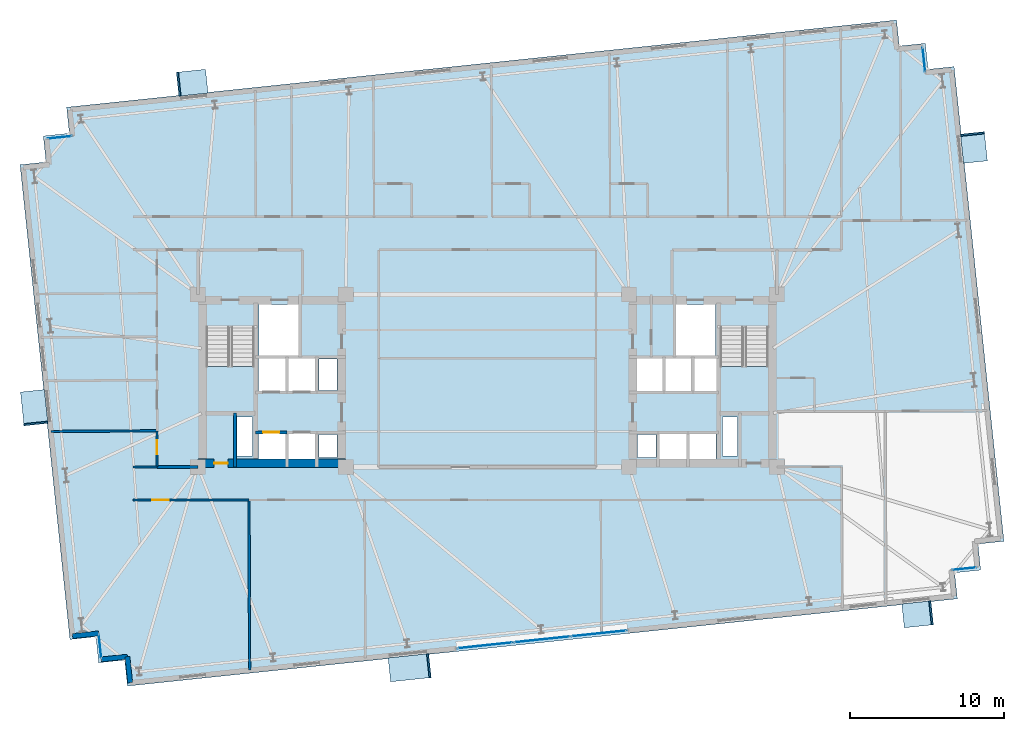
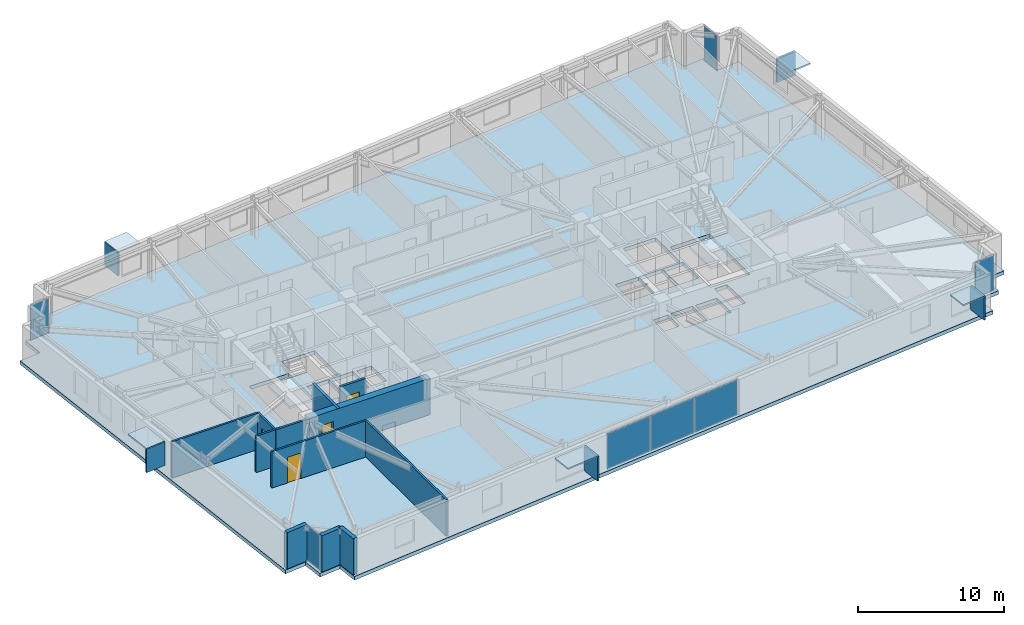
# One storey, part 15 of 23: 17 plates, 12 walls, 4 doors, 3 slabs, 4 openings, 7 elements without a shape of their own.
"""IFC4 building model written with IfcOpenShell, lengths in metres."""

from ifc_helpers import new_model, si_unit, direction, frame, frame_2d, origin, origin_2d, place, context, subcontext, project, spatial, polyline, rectangle, outline, extrude, material, layer, layer_set, type_object, element, fill, aggregate, save


model = new_model("IFC4")

# Units and contexts
model_context = context("Model", 3, precision=1e-05, world=origin(), true_north=direction((0.0, 1.0)))
body_context = subcontext(model_context, "Body", "Model", "MODEL_VIEW")
ifc_project = project(units=[si_unit("LENGTHUNIT", "METRE"), si_unit("AREAUNIT", "SQUARE_METRE"), si_unit("VOLUMEUNIT", "CUBIC_METRE"), si_unit("PLANEANGLEUNIT", "RADIAN"), si_unit("MASSUNIT", "GRAM", prefix="KILO")], contexts=[model_context])

# Site, building, storey
site_placement = place(None, origin())
site = spatial("IfcSite", under=ifc_project, at=site_placement, CompositionType="ELEMENT")
building_placement = place(site_placement, origin())
building = spatial("IfcBuilding", under=site, at=building_placement, Name="Qobustan Lattice House", CompositionType="ELEMENT")
storey_placement = place(building_placement, frame((0.0, 0.0, 95.75)))
storey = spatial("IfcBuildingStorey", under=building, at=storey_placement, Name="L26", CompositionType="ELEMENT", Elevation=95.75)

# Curtain wall, plate
ifc_material_1 = material(Name="Anodised aluminium and low-E glazing", Category="aluminium")
ifc_layer_1 = layer(ifc_material_1, 0.219970703125)
ifc_layer_set_1 = layer_set([ifc_layer_1], Name="Anodised aluminium and low-E glazing")
curtain_wall_type_1 = type_object("IfcCurtainWallType", Name="CW-FAC-01", PredefinedType="USERDEFINED", material=ifc_layer_set_1)
curtain_wall_1_placement = place(storey_placement, origin())
curtain_wall_1 = element("IfcCurtainWall", 1, at=curtain_wall_1_placement, inside=storey, type_object=curtain_wall_type_1, Name="L26 serrated corner faceted glazing 3", ObjectType="CURTAIN WALL", PredefinedType="USERDEFINED")
ifc_material_2 = material(Name="Clear low-E laminated glass", Category="glass")
ifc_layer_2 = layer(ifc_material_2, 0.031982421875)
ifc_layer_set_2 = layer_set([ifc_layer_2], Name="Clear low-E laminated glass")
plate_type_1 = type_object("IfcPlateType", Name="CWP-VISION-32", PredefinedType="CURTAIN_PANEL", material=ifc_layer_set_2)
plate_1_placement = place(storey_placement, frame((-25.155029296875, -17.2509765625, 0.06494140625), z_axis=(0.0, 0.0, 1.0), x_axis=(-0.104528620025, 0.994521878892, 0.0)))
plate_1 = element("IfcPlate", 2, at=plate_1_placement, type_object=plate_type_1, Name="CW-F1 panel 1.1", PredefinedType="CURTAIN_PANEL", context=body_context, shape_type="SweptSolid", body=[
    extrude(rectangle(XDim=1.56005859375, YDim=0.031982421875, at=origin_2d()), origin(), (0.0, 0.0, 1.0), 2.9150390625),
])
aggregate(curtain_wall_1, [plate_1])

curtain_wall_2_placement = place(storey_placement, origin())
curtain_wall_2 = element("IfcCurtainWall", 3, at=curtain_wall_2_placement, inside=storey, type_object=curtain_wall_type_1, Name="L26 serrated corner faceted glazing 8", ObjectType="CURTAIN WALL", PredefinedType="USERDEFINED")
plate_2_placement = place(storey_placement, frame((-27.77490234375, 15.80615234375, 0.06494140625), z_axis=(0.0, 0.0, 1.0), x_axis=(0.994521878892, 0.104528620025, 0.0)))
plate_2 = element("IfcPlate", 4, at=plate_2_placement, type_object=plate_type_1, Name="CW-F1 panel 1.1", PredefinedType="CURTAIN_PANEL", context=body_context, shape_type="SweptSolid", body=[
    extrude(rectangle(XDim=1.56005859375, YDim=0.031982421875, at=origin_2d()), origin(), (0.0, 0.0, 1.0), 2.9150390625),
])
aggregate(curtain_wall_2, [plate_2])

curtain_wall_3_placement = place(storey_placement, origin())
curtain_wall_3 = element("IfcCurtainWall", 5, at=curtain_wall_3_placement, inside=storey, type_object=curtain_wall_type_1, Name="L26 serrated corner faceted glazing 13", ObjectType="CURTAIN WALL", PredefinedType="USERDEFINED")
plate_3_placement = place(storey_placement, frame((28.355224609375, 20.85107421875, 0.06494140625), z_axis=(0.0, 0.0, 1.0), x_axis=(0.104528620025, -0.994521878892, 0.0)))
plate_3 = element("IfcPlate", 6, at=plate_3_placement, type_object=plate_type_1, Name="CW-F1 panel 1.1", PredefinedType="CURTAIN_PANEL", context=body_context, shape_type="SweptSolid", body=[
    extrude(rectangle(XDim=1.56005859375, YDim=0.031982421875, at=origin_2d()), origin(), (0.0, 0.0, 1.0), 2.9150390625),
])
aggregate(curtain_wall_3, [plate_3])

curtain_wall_4_placement = place(storey_placement, origin())
curtain_wall_4 = element("IfcCurtainWall", 7, at=curtain_wall_4_placement, inside=storey, type_object=curtain_wall_type_1, Name="L26 serrated corner faceted glazing 18", ObjectType="CURTAIN WALL", PredefinedType="USERDEFINED")
plate_4_placement = place(storey_placement, frame((30.974853515625, -12.206298828125, 0.06494140625), z_axis=(0.0, 0.0, 1.0), x_axis=(-0.994521878892, -0.104528620025, 0.0)))
plate_4 = element("IfcPlate", 8, at=plate_4_placement, type_object=plate_type_1, Name="CW-F1 panel 1.1", PredefinedType="CURTAIN_PANEL", context=body_context, shape_type="SweptSolid", body=[
    extrude(rectangle(XDim=1.56005859375, YDim=0.031982421875, at=origin_2d()), origin(), (0.0, 0.0, 1.0), 2.9150390625),
])
aggregate(curtain_wall_4, [plate_4])

# Curtain wall, plates
ifc_material_3 = material(Name="Anodised aluminium and low-E glazing", Category="aluminium")
ifc_layer_3 = layer(ifc_material_3, 0.219970703125)
ifc_layer_set_3 = layer_set([ifc_layer_3], Name="Anodised aluminium and low-E glazing")
curtain_wall_type_2 = type_object("IfcCurtainWallType", Name="CW-IWN-01", PredefinedType="USERDEFINED", material=ifc_layer_set_3)
curtain_wall_5_placement = place(storey_placement, origin())
curtain_wall_5 = element("IfcCurtainWall", 9, at=curtain_wall_5_placement, inside=storey, type_object=curtain_wall_type_2, Name="L26 IWAN-2 walnut-lined iwan curtain wall", ObjectType="CURTAIN WALL", PredefinedType="USERDEFINED")
plate_5_placement = place(storey_placement, frame((7.24755859375, -16.409423828125, 0.06494140625), z_axis=(0.0, 0.0, 1.0), x_axis=(-0.994522123189, -0.104526295675, 0.0)))
plate_5 = element("IfcPlate", 10, at=plate_5_placement, type_object=plate_type_1, Name="CW-IW panel 1.1", PredefinedType="CURTAIN_PANEL", context=body_context, shape_type="SweptSolid", body=[
    extrude(rectangle(XDim=3.61328125, YDim=0.031982421875, at=origin_2d()), origin(), (0.0, 0.0, 1.0), 2.9150390625),
])
plate_6_placement = place(storey_placement, frame((3.5546875, -16.797607421875, 0.06494140625), z_axis=(0.0, 0.0, 1.0), x_axis=(-0.994522123189, -0.104526295675, 0.0)))
plate_6 = element("IfcPlate", 11, at=plate_6_placement, type_object=plate_type_1, Name="CW-IW panel 2.1", PredefinedType="CURTAIN_PANEL", context=body_context, shape_type="SweptSolid", body=[
    extrude(rectangle(XDim=3.6533203125, YDim=0.031982421875, at=origin_2d()), origin(), (0.0, 0.0, 1.0), 2.9150390625),
])
plate_7_placement = place(storey_placement, frame((-0.138427734375, -17.185791015625, 0.06494140625), z_axis=(0.0, 0.0, 1.0), x_axis=(-0.994522123189, -0.104526295675, 0.0)))
plate_7 = element("IfcPlate", 12, at=plate_7_placement, type_object=plate_type_1, Name="CW-IW panel 3.1", PredefinedType="CURTAIN_PANEL", context=body_context, shape_type="SweptSolid", body=[
    extrude(rectangle(XDim=3.61328125, YDim=0.031982421875, at=origin_2d()), origin(), (0.0, 0.0, 1.0), 2.9150390625),
])
aggregate(curtain_wall_5, [plate_5, plate_6, plate_7])

# Plates
ifc_material_4 = material(Name="Qobustan limestone GFRC", Category="masonry")
ifc_layer_4 = layer(ifc_material_4, 0.1201171875)
ifc_layer_set_4 = layer_set([ifc_layer_4], Name="Qobustan limestone GFRC")
plate_type_2 = type_object("IfcPlateType", Name="SHD-HOOD-BROW", PredefinedType="USERDEFINED", material=ifc_layer_set_4)
plate_8_placement = place(storey_placement, frame((-29.4296875, -1.743408203125, 2.699951171875), z_axis=(0.0, 0.0, 1.0), x_axis=(-0.104528463268, 0.994521895368, 0.0)))
element("IfcPlate", 13, at=plate_8_placement, inside=storey, type_object=plate_type_2, Name="L26 splayed Qobustan stone hood brow", ObjectType="SUNSHADE", PredefinedType="USERDEFINED", context=body_context, shape_type="SweptSolid", body=[
    extrude(rectangle(XDim=2.18994140625, YDim=1.56005859375, at=origin_2d()), origin(), (0.0, 0.0, 1.0), 0.1201171875),
])
plate_9_placement = place(storey_placement, frame((-29.3212890625, -2.772705078125, 0.7900390625), z_axis=(0.0, 0.0, 1.0), x_axis=(-0.104528463268, 0.994521895368, 0.0)))
element("IfcPlate", 14, at=plate_9_placement, inside=storey, type_object=plate_type_2, Name="L26 splayed Qobustan stone hood cheek", ObjectType="SUNSHADE", PredefinedType="USERDEFINED", context=body_context, shape_type="SweptSolid", body=[
    extrude(rectangle(XDim=0.1201171875, YDim=1.56005859375, at=origin_2d()), origin(), (0.0, 0.0, 1.0), 1.969970703125),
])
plate_10_placement = place(storey_placement, frame((-19.162841796875, 19.355712890625, 2.699951171875), z_axis=(0.0, 0.0, 1.0), x_axis=(0.994521895368, 0.104528463268, 0.0)))
element("IfcPlate", 15, at=plate_10_placement, inside=storey, type_object=plate_type_2, Name="L26 splayed Qobustan stone hood brow", ObjectType="SUNSHADE", PredefinedType="USERDEFINED", context=body_context, shape_type="SweptSolid", body=[
    extrude(rectangle(XDim=1.889892578125, YDim=1.56005859375, at=origin_2d()), origin(), (0.0, 0.0, 1.0), 0.1201171875),
])
plate_11_placement = place(storey_placement, frame((-20.04296875, 19.26318359375, 0.7900390625), z_axis=(0.0, 0.0, 1.0), x_axis=(0.994521895368, 0.104528463268, 0.0)))
element("IfcPlate", 16, at=plate_11_placement, inside=storey, type_object=plate_type_2, Name="L26 splayed Qobustan stone hood cheek", ObjectType="SUNSHADE", PredefinedType="USERDEFINED", context=body_context, shape_type="SweptSolid", body=[
    extrude(rectangle(XDim=0.1201171875, YDim=1.56005859375, at=origin_2d()), origin(), (0.0, 0.0, 1.0), 1.969970703125),
])
plate_12_placement = place(storey_placement, frame((31.599609375, 15.14208984375, 2.699951171875), z_axis=(0.0, 0.0, 1.0), x_axis=(0.104528463268, -0.994521895368, 0.0)))
element("IfcPlate", 17, at=plate_12_placement, inside=storey, type_object=plate_type_2, Name="L26 splayed Qobustan stone hood brow", ObjectType="SUNSHADE", PredefinedType="USERDEFINED", context=body_context, shape_type="SweptSolid", body=[
    extrude(rectangle(XDim=1.889892578125, YDim=1.56005859375, at=origin_2d()), origin(), (0.0, 0.0, 1.0), 0.1201171875),
])
plate_13_placement = place(storey_placement, frame((31.507080078125, 16.022216796875, 0.7900390625), z_axis=(0.0, 0.0, 1.0), x_axis=(0.104528463268, -0.994521895368, 0.0)))
element("IfcPlate", 18, at=plate_13_placement, inside=storey, type_object=plate_type_2, Name="L26 splayed Qobustan stone hood cheek", ObjectType="SUNSHADE", PredefinedType="USERDEFINED", context=body_context, shape_type="SweptSolid", body=[
    extrude(rectangle(XDim=0.1201171875, YDim=1.56005859375, at=origin_2d()), origin(), (0.0, 0.0, 1.0), 1.969970703125),
])
plate_14_placement = place(storey_placement, frame((27.935791015625, -15.170166015625, 2.699951171875), z_axis=(0.0, 0.0, 1.0), x_axis=(-0.994521895368, -0.104528463268, 0.0)))
element("IfcPlate", 19, at=plate_14_placement, inside=storey, type_object=plate_type_2, Name="L26 splayed Qobustan stone hood brow", ObjectType="SUNSHADE", PredefinedType="USERDEFINED", context=body_context, shape_type="SweptSolid", body=[
    extrude(rectangle(XDim=1.889892578125, YDim=1.56005859375, at=origin_2d()), origin(), (0.0, 0.0, 1.0), 0.1201171875),
])
plate_15_placement = place(storey_placement, frame((28.81591796875, -15.07763671875, 0.7900390625), z_axis=(0.0, 0.0, 1.0), x_axis=(-0.994521895368, -0.104528463268, 0.0)))
element("IfcPlate", 20, at=plate_15_placement, inside=storey, type_object=plate_type_2, Name="L26 splayed Qobustan stone hood cheek", ObjectType="SUNSHADE", PredefinedType="USERDEFINED", context=body_context, shape_type="SweptSolid", body=[
    extrude(rectangle(XDim=0.1201171875, YDim=1.56005859375, at=origin_2d()), origin(), (0.0, 0.0, 1.0), 1.969970703125),
])
plate_16_placement = place(storey_placement, frame((-5.052978515625, -18.637451171875, 2.800048828125), z_axis=(0.0, 0.0, 1.0), x_axis=(-0.994521895368, -0.104528463268, 0.0)))
element("IfcPlate", 21, at=plate_16_placement, inside=storey, type_object=plate_type_2, Name="L26 splayed Qobustan stone hood brow", ObjectType="SUNSHADE", PredefinedType="USERDEFINED", context=body_context, shape_type="SweptSolid", body=[
    extrude(rectangle(XDim=2.639892578125, YDim=1.56005859375, at=origin_2d()), origin(), (0.0, 0.0, 1.0), 0.1201171875),
])
plate_17_placement = place(storey_placement, frame((-3.7998046875, -18.505615234375, 0.7900390625), z_axis=(0.0, 0.0, 1.0), x_axis=(-0.994521895368, -0.104528463268, 0.0)))
element("IfcPlate", 22, at=plate_17_placement, inside=storey, type_object=plate_type_2, Name="L26 splayed Qobustan stone hood cheek", ObjectType="SUNSHADE", PredefinedType="USERDEFINED", context=body_context, shape_type="SweptSolid", body=[
    extrude(rectangle(XDim=0.1201171875, YDim=1.56005859375, at=origin_2d()), origin(), (0.0, 0.0, 1.0), 2.070068359375),
])

# Slab
ifc_material_5 = material(Name="Concrete C40/50", Category="concrete")
ifc_layer_5 = layer(ifc_material_5, 0.304931640625)
ifc_layer_set_5 = layer_set([ifc_layer_5], Name="Concrete C40/50")
slab_type_1 = type_object("IfcSlabType", Name="SLB-FLR-305", PredefinedType="FLOOR", material=ifc_layer_set_5)
slab_1_placement = place(storey_placement, frame((0.0, 0.0, -0.304931640625)))
element("IfcSlab", 23, at=slab_1_placement, inside=storey, type_object=slab_type_1, Name="L26 structural floor slab", PredefinedType="FLOOR", context=body_context, shape_type="SweptSolid", body=[
    extrude(outline(polyline([(-23.3759765625, -19.8291015625), (30.527099609375, -14.163818359375), (30.349365234375, -12.47314453125), (32.0400390625, -12.29541015625), (31.8623046875, -10.604736328125), (33.552978515625, -10.427001953125), (30.312744140625, 20.4033203125), (28.6220703125, 20.2255859375), (28.4443359375, 21.916259765625), (26.753662109375, 21.738525390625), (26.575927734375, 23.42919921875), (-27.3271484375, 17.763671875), (-27.1494140625, 16.072998046875), (-28.840087890625, 15.8955078125), (-28.662353515625, 14.20458984375), (-30.35302734375, 14.027099609375), (-27.11279296875, -16.80322265625), (-25.422119140625, -16.62548828125), (-25.244384765625, -18.316162109375), (-23.5537109375, -18.138427734375), (-23.3759765625, -19.8291015625)]), holes=[polyline([(-18.25, -2.050048828125), (-18.25, 3.489990234375), (-15.1298828125, 3.489990234375), (-15.1298828125, -2.050048828125), (-18.25, -2.050048828125)]), polyline([(15.1298828125, -2.050048828125), (15.1298828125, 3.489990234375), (18.25, 3.489990234375), (18.25, -2.050048828125), (15.1298828125, -2.050048828125)]), polyline([(-14.820068359375, 1.64990234375), (-14.820068359375, 4.9599609375), (-12.25, 4.9599609375), (-12.25, 1.64990234375), (-14.820068359375, 1.64990234375)]), polyline([(12.25, 1.64990234375), (12.25, 4.9599609375), (14.820068359375, 4.9599609375), (14.820068359375, 1.64990234375), (12.25, 1.64990234375)]), polyline([(-16.260009765625, -4.8798828125), (-16.260009765625, -2.360107421875), (-15.260009765625, -2.360107421875), (-15.260009765625, -4.8798828125), (-16.260009765625, -4.8798828125)]), polyline([(15.260009765625, -4.8798828125), (15.260009765625, -2.360107421875), (16.260009765625, -2.360107421875), (16.260009765625, -4.8798828125), (15.260009765625, -4.8798828125)]), polyline([(-14.85009765625, -5.35009765625), (-14.85009765625, -3.419921875), (-13.1201171875, -3.419921875), (-13.1201171875, -5.35009765625), (-14.85009765625, -5.35009765625)]), polyline([(-12.919921875, -5.35009765625), (-12.919921875, -3.419921875), (-11.179931640625, -3.419921875), (-11.179931640625, -5.35009765625), (-12.919921875, -5.35009765625)]), polyline([(-14.85009765625, -0.679931640625), (-14.85009765625, 1.47998046875), (-13.1201171875, 1.47998046875), (-13.1201171875, -0.679931640625), (-14.85009765625, -0.679931640625)]), polyline([(-12.919921875, -0.679931640625), (-12.919921875, 1.47998046875), (-11.179931640625, 1.47998046875), (-11.179931640625, -0.679931640625), (-12.919921875, -0.679931640625)]), polyline([(-10.93994140625, -5.0), (-10.93994140625, -3.47998046875), (-9.760009765625, -3.47998046875), (-9.760009765625, -5.0), (-10.93994140625, -5.0)]), polyline([(-10.93994140625, -0.6201171875), (-10.93994140625, 1.419921875), (-9.760009765625, 1.419921875), (-9.760009765625, -0.6201171875), (-10.93994140625, -0.6201171875)]), polyline([(11.179931640625, -5.35009765625), (11.179931640625, -3.419921875), (12.919921875, -3.419921875), (12.919921875, -5.35009765625), (11.179931640625, -5.35009765625)]), polyline([(13.1201171875, -5.35009765625), (13.1201171875, -3.419921875), (14.85009765625, -3.419921875), (14.85009765625, -5.35009765625), (13.1201171875, -5.35009765625)]), polyline([(9.760009765625, -5.0), (9.760009765625, -3.47998046875), (10.93994140625, -3.47998046875), (10.93994140625, -5.0), (9.760009765625, -5.0)]), polyline([(13.360107421875, -0.679931640625), (13.360107421875, 1.47998046875), (14.97998046875, 1.47998046875), (14.97998046875, -0.679931640625), (13.360107421875, -0.679931640625)]), polyline([(9.6201171875, -0.679931640625), (9.6201171875, 1.47998046875), (11.43994140625, 1.47998046875), (11.43994140625, -0.679931640625), (9.6201171875, -0.679931640625)]), polyline([(11.5, -0.679931640625), (11.5, 1.47998046875), (13.320068359375, 1.47998046875), (13.320068359375, -0.679931640625), (11.5, -0.679931640625)])]), origin(), (0.0, 0.0, 1.0), 0.304931640625),
])

# Stair, slab
ifc_material_6 = material(Name="Concrete C40/50", Category="concrete")
stair_type = type_object("IfcStairType", Name="STR-CORE-DOGLEG", PredefinedType="HALF_TURN_STAIR", material=ifc_material_6)
stair_1_placement = place(storey_placement, origin())
stair_1 = element("IfcStair", 24, at=stair_1_placement, inside=storey, type_object=stair_type, Name="L26 West protected exit stair ST-W1", PredefinedType="HALF_TURN_STAIR")
ifc_material_7 = material(Name="Concrete C40/50", Category="concrete")
ifc_layer_6 = layer(ifc_material_7, 0.199951171875)
ifc_layer_set_6 = layer_set([ifc_layer_6], Name="Concrete C40/50")
slab_type_2 = type_object("IfcSlabType", Name="SLB-LANDING-200", PredefinedType="LANDING", material=ifc_layer_set_6)
slab_2_placement = place(storey_placement, frame((0.0, 0.0, 1.47509765625)))
slab_2 = element("IfcSlab", 25, at=slab_2_placement, type_object=slab_type_2, Name="ST-W1 landing 1", PredefinedType="LANDING", context=body_context, shape_type="SweptSolid", body=[
    extrude(outline(polyline([(-18.25, 0.93505859375), (-18.25, -2.050048828125), (-15.1298828125, -2.050048828125), (-15.1298828125, 0.93505859375), (-18.25, 0.93505859375)])), origin(), (0.0, 0.0, 1.0), 0.199951171875),
])
aggregate(stair_1, [slab_2])

stair_2_placement = place(storey_placement, origin())
stair_2 = element("IfcStair", 26, at=stair_2_placement, inside=storey, type_object=stair_type, Name="L26 East protected exit stair ST-E1", PredefinedType="HALF_TURN_STAIR")
slab_3_placement = place(storey_placement, frame((0.0, 0.0, 1.47509765625)))
slab_3 = element("IfcSlab", 27, at=slab_3_placement, type_object=slab_type_2, Name="ST-E1 landing 1", PredefinedType="LANDING", context=body_context, shape_type="SweptSolid", body=[
    extrude(outline(polyline([(15.1298828125, 0.93505859375), (15.1298828125, -2.050048828125), (18.25, -2.050048828125), (18.25, 0.93505859375), (15.1298828125, 0.93505859375)])), origin(), (0.0, 0.0, 1.0), 0.199951171875),
])
aggregate(stair_2, [slab_3])

# Wall, opening, door
ifc_material_8 = material(Name="Concrete C60/75", Category="concrete")
ifc_layer_7 = layer(ifc_material_8, 0.56005859375)
ifc_layer_set_7 = layer_set([ifc_layer_7], Name="Concrete C60/75")
wall_type_1 = type_object("IfcWallType", Name="WAL-CORE-600", PredefinedType="SHEAR", material=ifc_layer_set_7)
wall_1_placement = place(storey_placement, frame((-18.800048828125, -5.35009765625, 0.0), z_axis=(0.0, 0.0, 1.0), x_axis=(1.0, 0.0, 0.0)))
wall_1 = element("IfcWall", 28, at=wall_1_placement, inside=storey, type_object=wall_type_1, Name="L26 split-core shear wall CW-S", PredefinedType="SHEAR", context=body_context, shape_type="SweptSolid", body=[
    extrude(rectangle(XDim=9.60009765625, YDim=0.56005859375, at=frame_2d((4.800048828125, 0.0))), origin(), (0.0, 0.0, 1.0), 3.044921875),
])
opening_1_placement = place(wall_1_placement, frame((1.050048828125, 0.0, 0.0)))
opening_1 = element("IfcOpeningElement", 29, at=opening_1_placement, cuts=wall_1, Name="Opening RD-01", PredefinedType="OPENING", context=body_context, shape_type="SweptSolid", body=[
    extrude(rectangle(XDim=0.89990234375, YDim=2.10009765625, at=frame_2d((0.449951171875, 1.050048828125))), frame((0.0, 0.2900390625, 0.0), z_axis=(0.0, -1.0, 0.0), x_axis=(1.0, 0.0, 0.0)), (0.0, 0.0, 1.0), 0.580078125),
])
ifc_material_9 = material(Name="Persian walnut timber and steel frame door", Category="steel")
door_type_1 = type_object("IfcDoorType", Name="DOR-RISER-FD-900x2100", OperationType="NOTDEFINED", PredefinedType="DOOR", material=ifc_material_9)
door_1_placement = place(opening_1_placement, origin())
door_1 = element("IfcDoor", 30, at=door_1_placement, inside=storey, type_object=door_type_1, Name="L26 core service riser access door W", OperationType="SINGLE_SWING_LEFT", OverallHeight=2.10009765625, OverallWidth=0.89990234375, PredefinedType="DOOR", context=body_context, shape_type="SweptSolid", body=[
    extrude(rectangle(XDim=0.89990234375, YDim=2.10009765625, at=frame_2d((0.449951171875, 1.050048828125))), frame((0.0, 0.02490234375, 0.0), z_axis=(0.0, -1.0, 0.0), x_axis=(1.0, 0.0, 0.0)), (0.0, 0.0, 1.0), 0.050048828125),
])
fill(opening_1, door_1)

# Walls
ifc_material_10 = material(Name="Precast concrete C40/50", Category="concrete")
ifc_layer_8 = layer(ifc_material_10, 0.320068359375)
ifc_layer_set_8 = layer_set([ifc_layer_8], Name="Precast concrete C40/50")
wall_type_2 = type_object("IfcWallType", Name="WAL-EXT-STONE-320", PredefinedType="SOLIDWALL", material=ifc_layer_set_8)
for number, where, z_axis, x_axis, name in (
    (31, (-23.197998046875, -19.609375, 0.0), (0.0, 0.0, 1.0), (-0.104550220202, 0.994519608382, 0.0), "L26 exterior limestone-clad wall 1"),
    (32, (-23.375732421875, -17.918701171875, 0.0), (0.0, 0.0, 1.0), (-0.994519608382, -0.104550220202, 0.0), "L26 exterior limestone-clad wall 2"),
):
    element("IfcWall", number, at=place(storey_placement, frame(where, z_axis=z_axis, x_axis=x_axis)), inside=storey, type_object=wall_type_2, Name=name, PredefinedType="SOLIDWALL", context=body_context, shape_type="SweptSolid", body=[
        extrude(rectangle(XDim=1.699951171875, YDim=0.320068359375, at=frame_2d((0.85009765625, 0.0))), origin(), (0.0, 0.0, 1.0), 3.044921875),
    ])
wall_2_placement = place(storey_placement, frame((-25.243896484375, -16.40576171875, 0.0), z_axis=(0.0, 0.0, 1.0), x_axis=(-0.994521177842, -0.104535289845, 0.0)))
element("IfcWall", 33, at=wall_2_placement, inside=storey, type_object=wall_type_2, Name="L26 exterior limestone-clad wall 4", PredefinedType="SOLIDWALL", context=body_context, shape_type="SweptSolid", body=[
    extrude(rectangle(XDim=1.7001953125, YDim=0.320068359375, at=frame_2d((0.85009765625, 0.0))), origin(), (0.0, 0.0, 1.0), 3.044921875),
])
ifc_material_11 = material(Name="Gypsum fireboard acoustic partition", Category="gypsum")
ifc_layer_9 = layer(ifc_material_11, 0.179931640625)
ifc_layer_set_9 = layer_set([ifc_layer_9], Name="Gypsum fireboard acoustic partition")
wall_type_3 = type_object("IfcWallType", Name="WAL-FIRE-180", PredefinedType="PARTITIONING", material=ifc_layer_set_9)
wall_3_placement = place(storey_placement, frame((-21.449951171875, -5.60009765625, 0.0), z_axis=(0.0, 0.0, 1.0), x_axis=(1.0, 0.0, 0.0)))
element("IfcWall", 34, at=wall_3_placement, inside=storey, type_object=wall_type_3, Name="L26 interior partition 53", PredefinedType="PARTITIONING", context=body_context, shape_type="SweptSolid", body=[
    extrude(rectangle(XDim=2.64990234375, YDim=0.179931640625, at=frame_2d((1.324951171875, 0.0))), origin(), (0.0, 0.0, 1.0), 3.044921875),
])

# Wall, opening, door
ifc_material_12 = material(Name="Acoustic twin-stud gypsum partition", Category="gypsum")
ifc_layer_10 = layer(ifc_material_12, 0.14990234375)
ifc_layer_set_10 = layer_set([ifc_layer_10], Name="Acoustic twin-stud gypsum partition")
wall_type_4 = type_object("IfcWallType", Name="WAL-PART-150", PredefinedType="PARTITIONING", material=ifc_layer_set_10)
wall_4_placement = place(storey_placement, frame((-15.4833984375, -7.75, 0.0), z_axis=(0.0, 0.0, 1.0), x_axis=(-1.0, 0.0, 0.0)))
wall_4 = element("IfcWall", 35, at=wall_4_placement, inside=storey, type_object=wall_type_4, Name="L26 interior partition 55", PredefinedType="PARTITIONING", context=body_context, shape_type="SweptSolid", body=[
    extrude(rectangle(XDim=7.5166015625, YDim=0.14990234375, at=frame_2d((3.75830078125, 0.0))), origin(), (0.0, 0.0, 1.0), 3.044921875),
])
opening_2_placement = place(wall_4_placement, frame((5.22314453125, 0.0, 0.0)))
opening_2 = element("IfcOpeningElement", 36, at=opening_2_placement, cuts=wall_4, Name="Opening ID-02", PredefinedType="OPENING", context=body_context, shape_type="SweptSolid", body=[
    extrude(rectangle(XDim=1.050048828125, YDim=2.14990234375, at=frame_2d((0.52490234375, 1.074951171875))), frame((0.0, 0.0849609375, 0.0), z_axis=(0.0, -1.0, 0.0), x_axis=(1.0, 0.0, 0.0)), (0.0, 0.0, 1.0), 0.169921875),
])
ifc_material_13 = material(Name="Persian walnut timber and steel frame door", Category="steel")
door_type_2 = type_object("IfcDoorType", Name="DOR-STUDY-1050x2150", OperationType="NOTDEFINED", PredefinedType="DOOR", material=ifc_material_13)
door_2_placement = place(opening_2_placement, origin())
door_2 = element("IfcDoor", 37, at=door_2_placement, inside=storey, type_object=door_type_2, Name="L26 South-west floor corridor to Focus study room S1A door", OperationType="SINGLE_SWING_LEFT", OverallHeight=2.14990234375, OverallWidth=1.050048828125, PredefinedType="DOOR", context=body_context, shape_type="SweptSolid", body=[
    extrude(rectangle(XDim=1.050048828125, YDim=2.14990234375, at=frame_2d((0.52490234375, 1.074951171875))), frame((0.0, 0.02490234375, 0.0), z_axis=(0.0, -1.0, 0.0), x_axis=(1.0, 0.0, 0.0)), (0.0, 0.0, 1.0), 0.050048828125),
])
fill(opening_2, door_2)

# Walls
wall_5_placement = place(storey_placement, frame((-15.4833984375, -7.75, 0.0), z_axis=(0.0, 0.0, 1.0), x_axis=(0.003956994399, -0.999992171067, 0.0)))
element("IfcWall", 38, at=wall_5_placement, inside=storey, type_object=wall_type_4, Name="L26 interior partition 104", PredefinedType="PARTITIONING", context=body_context, shape_type="SweptSolid", body=[
    extrude(rectangle(XDim=11.0439453125, YDim=0.14990234375, at=frame_2d((5.52197265625, 0.0))), origin(), (0.0, 0.0, 1.0), 3.044921875),
])
ifc_material_14 = material(Name="Concrete C40/50", Category="concrete")
ifc_layer_11 = layer(ifc_material_14, 0.199951171875)
ifc_layer_set_11 = layer_set([ifc_layer_11], Name="Concrete C40/50")
wall_type_5 = type_object("IfcWallType", Name="WAL-SHAFT-200", PredefinedType="PARTITIONING", material=ifc_layer_set_11)
wall_6_placement = place(storey_placement, frame((-16.39990234375, -5.60009765625, 0.0), z_axis=(0.0, 0.0, 1.0), x_axis=(0.0, 1.0, 0.0)))
element("IfcWall", 39, at=wall_6_placement, inside=storey, type_object=wall_type_5, Name="L26 interior partition 1", PredefinedType="PARTITIONING", context=body_context, shape_type="SweptSolid", body=[
    extrude(rectangle(XDim=3.489990234375, YDim=0.199951171875, at=frame_2d((1.7451171875, 0.0))), origin(), (0.0, 0.0, 1.0), 3.044921875),
])

# Wall, opening, door
wall_7_placement = place(storey_placement, frame((-15.050048828125, -3.35009765625, 0.0), z_axis=(0.0, 0.0, 1.0), x_axis=(1.0, 0.0, 0.0)))
wall_7 = element("IfcWall", 40, at=wall_7_placement, inside=storey, type_object=wall_type_5, Name="L26 interior partition 7", PredefinedType="PARTITIONING", context=body_context, shape_type="SweptSolid", body=[
    extrude(rectangle(XDim=2.030029296875, YDim=0.199951171875, at=frame_2d((1.01513671875, 0.0))), origin(), (0.0, 0.0, 1.0), 3.044921875),
])
opening_3_placement = place(wall_7_placement, frame((0.489990234375, 0.0, 0.0)))
opening_3 = element("IfcOpeningElement", 41, at=opening_3_placement, cuts=wall_7, Name="Opening LD-01", PredefinedType="OPENING", context=body_context, shape_type="SweptSolid", body=[
    extrude(rectangle(XDim=1.050048828125, YDim=2.10009765625, at=frame_2d((0.52490234375, 1.050048828125))), frame((0.0, 0.10986328125, 0.0), z_axis=(0.0, -1.0, 0.0), x_axis=(1.0, 0.0, 0.0)), (0.0, 0.0, 1.0), 0.219970703125),
])
ifc_material_15 = material(Name="Persian walnut timber and steel frame door", Category="steel")
door_type_3 = type_object("IfcDoorType", Name="DOR-LIFT-LD-1050x2100", OperationType="NOTDEFINED", PredefinedType="DOOR", material=ifc_material_15)
door_3_placement = place(opening_3_placement, origin())
door_3 = element("IfcDoor", 42, at=door_3_placement, inside=storey, type_object=door_type_3, Name="L26 lift landing door", OperationType="DOUBLE_DOOR_SLIDING", OverallHeight=2.10009765625, OverallWidth=1.050048828125, PredefinedType="DOOR", context=body_context, shape_type="SweptSolid", body=[
    extrude(rectangle(XDim=1.050048828125, YDim=2.10009765625, at=frame_2d((0.52490234375, 1.050048828125))), frame((0.0, 0.02490234375, 0.0), z_axis=(0.0, -1.0, 0.0), x_axis=(1.0, 0.0, 0.0)), (0.0, 0.0, 1.0), 0.050048828125),
])
fill(opening_3, door_3)

# Wall
ifc_material_16 = material(Name="Moisture-resistant acoustic plumbing wall", Category="gypsum")
ifc_layer_12 = layer(ifc_material_16, 0.14990234375)
ifc_layer_set_12 = layer_set([ifc_layer_12], Name="Moisture-resistant acoustic plumbing wall")
wall_type_6 = type_object("IfcWallType", Name="WAL-WET-150", PredefinedType="PLUMBINGWALL", material=ifc_layer_set_12)
wall_8_placement = place(storey_placement, frame((-23.0, -5.60009765625, 0.0), z_axis=(0.0, 0.0, 1.0), x_axis=(1.0, 0.0, 0.0)))
element("IfcWall", 43, at=wall_8_placement, inside=storey, type_object=wall_type_6, Name="L26 interior partition 54", PredefinedType="PLUMBINGWALL", context=body_context, shape_type="SweptSolid", body=[
    extrude(rectangle(XDim=1.550048828125, YDim=0.14990234375, at=frame_2d((0.77490234375, 0.0))), origin(), (0.0, 0.0, 1.0), 3.044921875),
])

# Wall, opening, door
wall_9_placement = place(storey_placement, frame((-21.449951171875, -5.60009765625, 0.0), z_axis=(0.0, 0.0, 1.0), x_axis=(0.0, 1.0, 0.0)))
wall_9 = element("IfcWall", 44, at=wall_9_placement, inside=storey, type_object=wall_type_6, Name="L26 interior partition 68", PredefinedType="PLUMBINGWALL", context=body_context, shape_type="SweptSolid", body=[
    extrude(rectangle(XDim=2.35009765625, YDim=0.14990234375, at=frame_2d((1.175048828125, 0.0))), origin(), (0.0, 0.0, 1.0), 3.044921875),
])
opening_4_placement = place(wall_9_placement, frame((0.833740234375, 0.0, 0.0)))
opening_4 = element("IfcOpeningElement", 45, at=opening_4_placement, cuts=wall_9, Name="Opening WD-01", PredefinedType="OPENING", context=body_context, shape_type="SweptSolid", body=[
    extrude(rectangle(XDim=0.89990234375, YDim=2.10009765625, at=frame_2d((0.449951171875, 1.050048828125))), frame((0.0, 0.0849609375, 0.0), z_axis=(0.0, -1.0, 0.0), x_axis=(1.0, 0.0, 0.0)), (0.0, 0.0, 1.0), 0.169921875),
])
ifc_material_17 = material(Name="Persian walnut timber and steel frame door", Category="steel")
door_type_4 = type_object("IfcDoorType", Name="DOR-WET-900x2100", OperationType="NOTDEFINED", PredefinedType="DOOR", material=ifc_material_17)
door_4_placement = place(opening_4_placement, origin())
door_4 = element("IfcDoor", 46, at=door_4_placement, inside=storey, type_object=door_type_4, Name="L26 Residence entrance hall L26W to Shared bathroom L26W door", OperationType="SINGLE_SWING_LEFT", OverallHeight=2.10009765625, OverallWidth=0.89990234375, PredefinedType="DOOR", context=body_context, shape_type="SweptSolid", body=[
    extrude(rectangle(XDim=0.89990234375, YDim=2.10009765625, at=frame_2d((0.449951171875, 1.050048828125))), frame((0.0, 0.02490234375, 0.0), z_axis=(0.0, -1.0, 0.0), x_axis=(1.0, 0.0, 0.0)), (0.0, 0.0, 1.0), 0.050048828125),
])
fill(opening_4, door_4)

# Wall
wall_10_placement = place(storey_placement, frame((-28.33154296875, -3.2939453125, 0.0), z_axis=(0.0, 0.0, 1.0), x_axis=(0.99997961062, 0.006385792383, 0.0)))
element("IfcWall", 47, at=wall_10_placement, inside=storey, type_object=wall_type_6, Name="L26 interior partition 73", PredefinedType="PLUMBINGWALL", context=body_context, shape_type="SweptSolid", body=[
    extrude(rectangle(XDim=6.8818359375, YDim=0.14990234375, at=frame_2d((3.44091796875, 0.0))), origin(), (0.0, 0.0, 1.0), 3.044921875),
])

save(model, "model.ifc")
